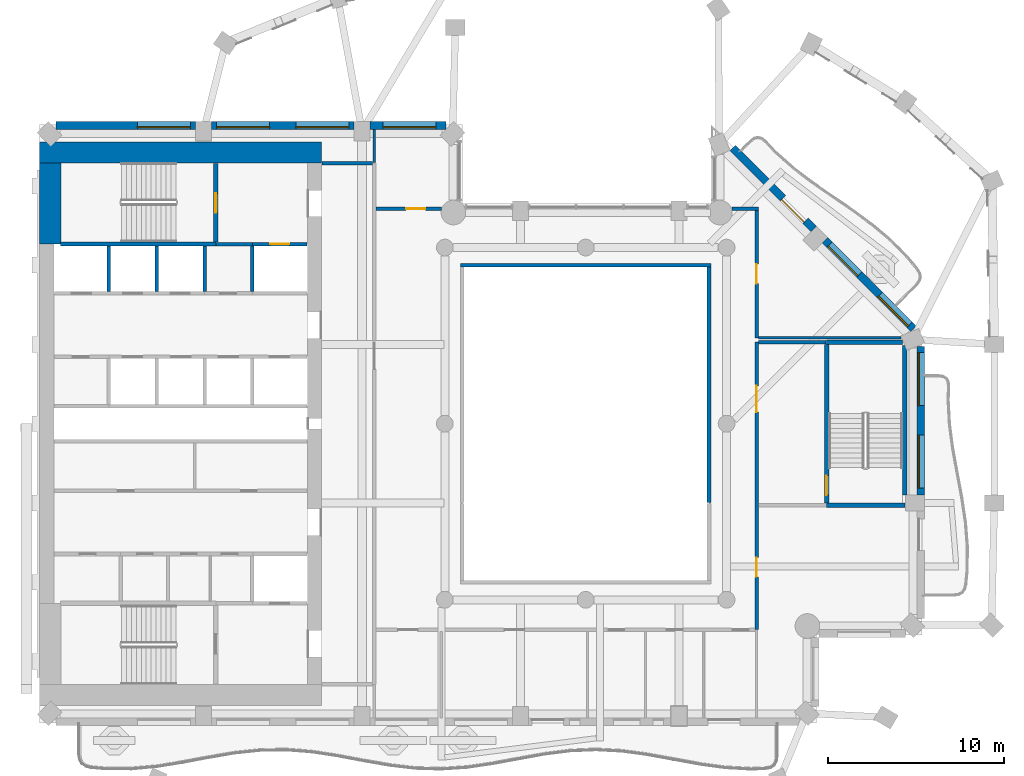
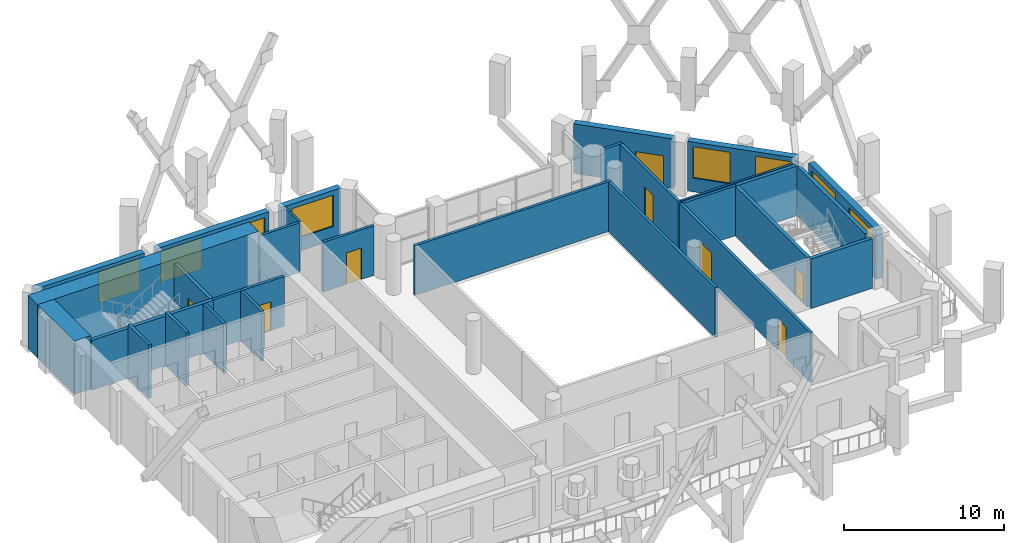
# One storey, part 6 of 17: 30 walls, 8 doors, 8 windows, 16 openings.
"""IFC4 building model written with IfcOpenShell, lengths in metres."""

from ifc_helpers import new_model, si_unit, direction, frame, frame_2d, origin, place, context, subcontext, project, spatial, rectangle, extrude, material, layer, layer_set, type_object, element, fill, save


model = new_model("IFC4")

# Units and contexts
model_context = context("Model", 3, precision=1e-05, world=origin(), true_north=direction((0.0, 1.0)))
body_context = subcontext(model_context, "Body", "Model", "MODEL_VIEW")
ifc_project = project(units=[si_unit("LENGTHUNIT", "METRE"), si_unit("AREAUNIT", "SQUARE_METRE"), si_unit("VOLUMEUNIT", "CUBIC_METRE"), si_unit("PLANEANGLEUNIT", "RADIAN"), si_unit("MASSUNIT", "GRAM", prefix="KILO")], contexts=[model_context])

# Site, building, storey
site_placement = place(None, origin())
site = spatial("IfcSite", under=ifc_project, at=site_placement, CompositionType="ELEMENT")
building_placement = place(site_placement, origin())
building = spatial("IfcBuilding", under=site, at=building_placement, Name="Cypress Arch Tower", CompositionType="ELEMENT")
storey_placement = place(building_placement, frame((0.0, 0.0, 217.89990234375)))
storey = spatial("IfcBuildingStorey", under=building, at=storey_placement, Name="L48", CompositionType="ELEMENT", Elevation=217.89990234375)

# Wall, openings, windows
ifc_material_1 = material(Name="Brick (red buff blend)", Category="masonry")
ifc_layer_1 = layer(ifc_material_1, 0.449951171875)
ifc_layer_set_1 = layer_set([ifc_layer_1], Name="Brick pier and spandrel wall BW450")
wall_type_1 = type_object("IfcWallType", Name="Brick pier and spandrel wall BW450", PredefinedType="SOLIDWALL", material=ifc_layer_set_1)
wall_1_placement = place(storey_placement, frame((20.02490234375, -4.050048828125, 0.0), z_axis=(0.0, 0.0, 1.0), x_axis=(0.0, 1.0, 0.0)))
wall_1 = element("IfcWall", 1, at=wall_1_placement, inside=storey, type_object=wall_type_1, Name="Brick wall L48 B04.1", PredefinedType="SOLIDWALL", context=body_context, shape_type="SweptSolid", body=[
    extrude(rectangle(XDim=8.438720703125, YDim=0.449951171875, at=frame_2d((4.21923828125, 0.0))), origin(), (0.0, 0.0, 1.0), 3.800048828125),
])
opening_1_placement = place(wall_1_placement, frame((0.39404296875, 0.0, 1.050048828125)))
opening_1 = element("IfcOpeningElement", 2, at=opening_1_placement, cuts=wall_1, Name="Opening W300OD", PredefinedType="OPENING", context=body_context, shape_type="SweptSolid", body=[
    extrude(rectangle(XDim=3.0, YDim=2.39990234375, at=frame_2d((1.5, 1.199951171875))), frame((0.0, 0.23486328125, 0.0), z_axis=(0.0, -1.0, 0.0), x_axis=(1.0, 0.0, 0.0)), (0.0, 0.0, 1.0), 0.469970703125),
])
opening_2_placement = place(wall_1_placement, frame((5.081787109375, 0.0, 1.050048828125)))
opening_2 = element("IfcOpeningElement", 3, at=opening_2_placement, cuts=wall_1, Name="Opening W300OD", PredefinedType="OPENING", context=body_context, shape_type="SweptSolid", body=[
    extrude(rectangle(XDim=3.0, YDim=2.39990234375, at=frame_2d((1.5, 1.199951171875))), frame((0.0, 0.23486328125, 0.0), z_axis=(0.0, -1.0, 0.0), x_axis=(1.0, 0.0, 0.0)), (0.0, 0.0, 1.0), 0.469970703125),
])
ifc_material_2 = material(Name="Anodised aluminium, bronze finish, laminated low-emissivity double glazing, large-missile impact rated", Category="aluminium")
window_type_1 = type_object("IfcWindowType", Name="Window Office 3000x2400 debris-rated", PartitioningType="SINGLE_PANEL", PredefinedType="WINDOW", material=ifc_material_2)
window_1_placement = place(opening_1_placement, origin())
window_1 = element("IfcWindow", 4, at=window_1_placement, inside=storey, type_object=window_type_1, Name="Window L48 B04.1.1", OverallHeight=2.39990234375, OverallWidth=3.0, PartitioningType="SINGLE_PANEL", PredefinedType="WINDOW", context=body_context, shape_type="SweptSolid", body=[
    extrude(rectangle(XDim=3.0, YDim=2.39990234375, at=frame_2d((1.5, 1.199951171875))), frame((0.0, 0.135009765625, 0.0), z_axis=(0.0, -1.0, 0.0), x_axis=(1.0, 0.0, 0.0)), (0.0, 0.0, 1.0), 0.06005859375),
])
fill(opening_1, window_1)
window_2_placement = place(opening_2_placement, origin())
window_2 = element("IfcWindow", 5, at=window_2_placement, inside=storey, type_object=window_type_1, Name="Window L48 B04.1.2", OverallHeight=2.39990234375, OverallWidth=3.0, PartitioningType="SINGLE_PANEL", PredefinedType="WINDOW", context=body_context, shape_type="SweptSolid", body=[
    extrude(rectangle(XDim=3.0, YDim=2.39990234375, at=frame_2d((1.5, 1.199951171875))), frame((0.0, 0.135009765625, 0.0), z_axis=(0.0, -1.0, 0.0), x_axis=(1.0, 0.0, 0.0)), (0.0, 0.0, 1.0), 0.06005859375),
])
fill(opening_2, window_2)

wall_2_placement = place(storey_placement, frame((19.61474609375, 5.379150390625, 0.0), z_axis=(0.0, 0.0, 1.0), x_axis=(-0.707089646058, 0.7071239159, 0.0)))
wall_2 = element("IfcWall", 6, at=wall_2_placement, inside=storey, type_object=wall_type_1, Name="Brick wall L48 B05.0", PredefinedType="SOLIDWALL", context=body_context, shape_type="SweptSolid", body=[
    extrude(rectangle(XDim=7.1240234375, YDim=0.449951171875, at=frame_2d((3.56201171875, 0.0))), origin(), (0.0, 0.0, 1.0), 3.800048828125),
])
opening_3_placement = place(wall_2_placement, frame((0.328125, 0.0, 1.050048828125)))
opening_3 = element("IfcOpeningElement", 7, at=opening_3_placement, cuts=wall_2, Name="Opening W240OD", PredefinedType="OPENING", context=body_context, shape_type="SweptSolid", body=[
    extrude(rectangle(XDim=2.39990234375, YDim=2.39990234375, at=frame_2d((1.199951171875, 1.199951171875))), frame((0.0, 0.23486328125, 0.0), z_axis=(0.0, -1.0, 0.0), x_axis=(1.0, 0.0, 0.0)), (0.0, 0.0, 1.0), 0.469970703125),
])
opening_4_placement = place(wall_2_placement, frame((4.358642578125, 0.0, 1.050048828125)))
opening_4 = element("IfcOpeningElement", 8, at=opening_4_placement, cuts=wall_2, Name="Opening W240OD", PredefinedType="OPENING", context=body_context, shape_type="SweptSolid", body=[
    extrude(rectangle(XDim=2.39990234375, YDim=2.39990234375, at=frame_2d((1.199951171875, 1.199951171875))), frame((0.0, 0.23486328125, 0.0), z_axis=(0.0, -1.0, 0.0), x_axis=(1.0, 0.0, 0.0)), (0.0, 0.0, 1.0), 0.469970703125),
])
ifc_material_3 = material(Name="Anodised aluminium, bronze finish, laminated low-emissivity double glazing, large-missile impact rated", Category="aluminium")
window_type_2 = type_object("IfcWindowType", Name="Window Office 2400x2400 debris-rated", PartitioningType="SINGLE_PANEL", PredefinedType="WINDOW", material=ifc_material_3)
window_3_placement = place(opening_3_placement, origin())
window_3 = element("IfcWindow", 9, at=window_3_placement, inside=storey, type_object=window_type_2, Name="Window L48 B05.0.1", OverallHeight=2.39990234375, OverallWidth=2.39990234375, PartitioningType="SINGLE_PANEL", PredefinedType="WINDOW", context=body_context, shape_type="SweptSolid", body=[
    extrude(rectangle(XDim=2.39990234375, YDim=2.39990234375, at=frame_2d((1.199951171875, 1.199951171875))), frame((0.0, 0.135009765625, 0.0), z_axis=(0.0, -1.0, 0.0), x_axis=(1.0, 0.0, 0.0)), (0.0, 0.0, 1.0), 0.06005859375),
])
fill(opening_3, window_3)
window_4_placement = place(opening_4_placement, origin())
window_4 = element("IfcWindow", 10, at=window_4_placement, inside=storey, type_object=window_type_2, Name="Window L48 B05.0.2", OverallHeight=2.39990234375, OverallWidth=2.39990234375, PartitioningType="SINGLE_PANEL", PredefinedType="WINDOW", context=body_context, shape_type="SweptSolid", body=[
    extrude(rectangle(XDim=2.39990234375, YDim=2.39990234375, at=frame_2d((1.199951171875, 1.199951171875))), frame((0.0, 0.135009765625, 0.0), z_axis=(0.0, -1.0, 0.0), x_axis=(1.0, 0.0, 0.0)), (0.0, 0.0, 1.0), 0.06005859375),
])
fill(opening_4, window_4)

# Wall, opening, door
wall_3_placement = place(storey_placement, frame((13.94091796875, 11.052978515625, 0.0), z_axis=(0.0, 0.0, 1.0), x_axis=(-0.707106781187, 0.707106781187, 0.0)))
wall_3 = element("IfcWall", 11, at=wall_3_placement, inside=storey, type_object=wall_type_1, Name="Brick wall L48 B05.1", PredefinedType="SOLIDWALL", context=body_context, shape_type="SweptSolid", body=[
    extrude(rectangle(XDim=6.505126953125, YDim=0.449951171875, at=frame_2d((3.25244140625, 0.0))), origin(), (0.0, 0.0, 1.0), 3.800048828125),
])
opening_5_placement = place(wall_3_placement, frame((0.665283203125, 0.0, 0.0)))
opening_5 = element("IfcOpeningElement", 12, at=opening_5_placement, cuts=wall_3, Name="Opening D-L48-B05.1.1", PredefinedType="OPENING", context=body_context, shape_type="SweptSolid", body=[
    extrude(rectangle(XDim=1.800048828125, YDim=2.39990234375, at=frame_2d((0.89990234375, 1.199951171875))), frame((0.0, 0.23486328125, 0.0), z_axis=(0.0, -1.0, 0.0), x_axis=(1.0, 0.0, 0.0)), (0.0, 0.0, 1.0), 0.469970703125),
])
ifc_material_4 = material(Name="Anodised aluminium, bronze finish, laminated low-emissivity double glazing, large-missile impact rated", Category="aluminium")
door_type_1 = type_object("IfcDoorType", Name="Balcony sliding door 1800x2400", OperationType="SLIDING_TO_LEFT", PredefinedType="DOOR", material=ifc_material_4)
door_1_placement = place(opening_5_placement, origin())
door_1 = element("IfcDoor", 13, at=door_1_placement, inside=storey, type_object=door_type_1, Name="Balcony door L48 B05.1.1", OperationType="SLIDING_TO_LEFT", OverallHeight=2.39990234375, OverallWidth=1.800048828125, PredefinedType="DOOR", context=body_context, shape_type="SweptSolid", body=[
    extrude(rectangle(XDim=1.800048828125, YDim=2.39990234375, at=frame_2d((0.89990234375, 1.199951171875))), frame((0.0, 0.1298828125, 0.0), z_axis=(0.0, -1.0, 0.0), x_axis=(1.0, 0.0, 0.0)), (0.0, 0.0, 1.0), 0.050048828125),
])
fill(opening_5, door_1)

# Wall, opening, window
wall_4_placement = place(storey_placement, frame((-6.936279296875, 16.925048828125, 0.0), z_axis=(0.0, 0.0, 1.0), x_axis=(-1.0, 0.0, 0.0)))
wall_4 = element("IfcWall", 14, at=wall_4_placement, inside=storey, type_object=wall_type_1, Name="Brick wall L48 B09.0", PredefinedType="SOLIDWALL", context=body_context, shape_type="SweptSolid", body=[
    extrude(rectangle(XDim=4.313720703125, YDim=0.449951171875, at=frame_2d((2.15673828125, 0.0))), origin(), (0.0, 0.0, 1.0), 3.800048828125),
])
opening_6_placement = place(wall_4_placement, frame((0.563720703125, 0.0, 1.050048828125)))
opening_6 = element("IfcOpeningElement", 15, at=opening_6_placement, cuts=wall_4, Name="Opening W300O", PredefinedType="OPENING", context=body_context, shape_type="SweptSolid", body=[
    extrude(rectangle(XDim=3.0, YDim=2.39990234375, at=frame_2d((1.5, 1.199951171875))), frame((0.0, 0.23486328125, 0.0), z_axis=(0.0, -1.0, 0.0), x_axis=(1.0, 0.0, 0.0)), (0.0, 0.0, 1.0), 0.469970703125),
])
ifc_material_5 = material(Name="Anodised aluminium, bronze finish, clear low-emissivity double glazing", Category="aluminium")
window_type_3 = type_object("IfcWindowType", Name="Window Office 3000x2400", PartitioningType="SINGLE_PANEL", PredefinedType="WINDOW", material=ifc_material_5)
window_5_placement = place(opening_6_placement, origin())
window_5 = element("IfcWindow", 16, at=window_5_placement, inside=storey, type_object=window_type_3, Name="Window L48 B09.0.1", OverallHeight=2.39990234375, OverallWidth=3.0, PartitioningType="SINGLE_PANEL", PredefinedType="WINDOW", context=body_context, shape_type="SweptSolid", body=[
    extrude(rectangle(XDim=3.0, YDim=2.39990234375, at=frame_2d((1.5, 1.199951171875))), frame((0.0, 0.135009765625, 0.0), z_axis=(0.0, -1.0, 0.0), x_axis=(1.0, 0.0, 0.0)), (0.0, 0.0, 1.0), 0.06005859375),
])
fill(opening_6, window_5)

# Wall, openings, windows
wall_5_placement = place(storey_placement, frame((-12.14990234375, 16.925048828125, 0.0), z_axis=(0.0, 0.0, 1.0), x_axis=(-1.0, 0.0, 0.0)))
wall_5 = element("IfcWall", 17, at=wall_5_placement, inside=storey, type_object=wall_type_1, Name="Brick wall L48 B09.1", PredefinedType="SOLIDWALL", context=body_context, shape_type="SweptSolid", body=[
    extrude(rectangle(XDim=8.10009765625, YDim=0.449951171875, at=frame_2d((4.050048828125, 0.0))), origin(), (0.0, 0.0, 1.0), 3.800048828125),
])
opening_7_placement = place(wall_5_placement, frame((0.300048828125, 0.0, 1.050048828125)))
opening_7 = element("IfcOpeningElement", 18, at=opening_7_placement, cuts=wall_5, Name="Opening W300O", PredefinedType="OPENING", context=body_context, shape_type="SweptSolid", body=[
    extrude(rectangle(XDim=3.0, YDim=2.39990234375, at=frame_2d((1.5, 1.199951171875))), frame((0.0, 0.23486328125, 0.0), z_axis=(0.0, -1.0, 0.0), x_axis=(1.0, 0.0, 0.0)), (0.0, 0.0, 1.0), 0.469970703125),
])
opening_8_placement = place(wall_5_placement, frame((4.800048828125, 0.0, 1.050048828125)))
opening_8 = element("IfcOpeningElement", 19, at=opening_8_placement, cuts=wall_5, Name="Opening W300O", PredefinedType="OPENING", context=body_context, shape_type="SweptSolid", body=[
    extrude(rectangle(XDim=3.0, YDim=2.39990234375, at=frame_2d((1.5, 1.199951171875))), frame((0.0, 0.23486328125, 0.0), z_axis=(0.0, -1.0, 0.0), x_axis=(1.0, 0.0, 0.0)), (0.0, 0.0, 1.0), 0.469970703125),
])
window_6_placement = place(opening_7_placement, origin())
window_6 = element("IfcWindow", 20, at=window_6_placement, inside=storey, type_object=window_type_3, Name="Window L48 B09.1.1", OverallHeight=2.39990234375, OverallWidth=3.0, PartitioningType="SINGLE_PANEL", PredefinedType="WINDOW", context=body_context, shape_type="SweptSolid", body=[
    extrude(rectangle(XDim=3.0, YDim=2.39990234375, at=frame_2d((1.5, 1.199951171875))), frame((0.0, 0.135009765625, 0.0), z_axis=(0.0, -1.0, 0.0), x_axis=(1.0, 0.0, 0.0)), (0.0, 0.0, 1.0), 0.06005859375),
])
fill(opening_7, window_6)
window_7_placement = place(opening_8_placement, origin())
window_7 = element("IfcWindow", 21, at=window_7_placement, inside=storey, type_object=window_type_3, Name="Window L48 B09.1.2", OverallHeight=2.39990234375, OverallWidth=3.0, PartitioningType="SINGLE_PANEL", PredefinedType="WINDOW", context=body_context, shape_type="SweptSolid", body=[
    extrude(rectangle(XDim=3.0, YDim=2.39990234375, at=frame_2d((1.5, 1.199951171875))), frame((0.0, 0.135009765625, 0.0), z_axis=(0.0, -1.0, 0.0), x_axis=(1.0, 0.0, 0.0)), (0.0, 0.0, 1.0), 0.06005859375),
])
fill(opening_8, window_7)

# Wall, opening, window
wall_6_placement = place(storey_placement, frame((-21.14990234375, 16.925048828125, 0.0), z_axis=(0.0, 0.0, 1.0), x_axis=(-1.0, 0.0, 0.0)))
wall_6 = element("IfcWall", 22, at=wall_6_placement, inside=storey, type_object=wall_type_1, Name="Brick wall L48 B09.2", PredefinedType="SOLIDWALL", context=body_context, shape_type="SweptSolid", body=[
    extrude(rectangle(XDim=7.913818359375, YDim=0.449951171875, at=frame_2d((3.95703125, 0.0))), origin(), (0.0, 0.0, 1.0), 3.800048828125),
])
opening_9_placement = place(wall_6_placement, frame((0.300048828125, 0.0, 1.050048828125)))
opening_9 = element("IfcOpeningElement", 23, at=opening_9_placement, cuts=wall_6, Name="Opening W300O", PredefinedType="OPENING", context=body_context, shape_type="SweptSolid", body=[
    extrude(rectangle(XDim=3.0, YDim=2.39990234375, at=frame_2d((1.5, 1.199951171875))), frame((0.0, 0.23486328125, 0.0), z_axis=(0.0, -1.0, 0.0), x_axis=(1.0, 0.0, 0.0)), (0.0, 0.0, 1.0), 0.469970703125),
])
window_8_placement = place(opening_9_placement, origin())
window_8 = element("IfcWindow", 24, at=window_8_placement, inside=storey, type_object=window_type_3, Name="Window L48 B09.2.1", OverallHeight=2.39990234375, OverallWidth=3.0, PartitioningType="SINGLE_PANEL", PredefinedType="WINDOW", context=body_context, shape_type="SweptSolid", body=[
    extrude(rectangle(XDim=3.0, YDim=2.39990234375, at=frame_2d((1.5, 1.199951171875))), frame((0.0, 0.135009765625, 0.0), z_axis=(0.0, -1.0, 0.0), x_axis=(1.0, 0.0, 0.0)), (0.0, 0.0, 1.0), 0.06005859375),
])
fill(opening_9, window_8)

# Walls
ifc_material_6 = material(Name="Concrete C70/85", Category="concrete")
ifc_layer_2 = layer(ifc_material_6, 1.199951171875)
ifc_layer_set_2 = layer_set([ifc_layer_2], Name="Core wall CW1200 C70/85")
wall_type_2 = type_object("IfcWallType", Name="Core wall CW1200 C70/85", PredefinedType="SHEAR", material=ifc_layer_set_2)
wall_7_placement = place(storey_placement, frame((-30.0, 15.39990234375, 0.0), z_axis=(0.0, 0.0, 1.0), x_axis=(1.0, 0.0, 0.0)))
element("IfcWall", 25, at=wall_7_placement, inside=storey, type_object=wall_type_2, Name="Core wall", PredefinedType="SHEAR", context=body_context, shape_type="SweptSolid", body=[
    extrude(rectangle(XDim=16.0, YDim=1.199951171875, at=frame_2d((8.0, 0.0))), origin(), (0.0, 0.0, 1.0), 4.10009765625),
])
wall_8_placement = place(storey_placement, frame((-29.39990234375, 10.199951171875, 0.0), z_axis=(0.0, 0.0, 1.0), x_axis=(0.0, 1.0, 0.0)))
element("IfcWall", 26, at=wall_8_placement, inside=storey, type_object=wall_type_2, Name="Core wall", PredefinedType="SHEAR", context=body_context, shape_type="SweptSolid", body=[
    extrude(rectangle(XDim=4.60009765625, YDim=1.199951171875, at=frame_2d((2.300048828125, 0.0))), origin(), (0.0, 0.0, 1.0), 4.10009765625),
])
ifc_material_7 = material(Name="Concrete blockwork, plastered, rated", Category="masonry")
ifc_layer_3 = layer(ifc_material_7, 0.199951171875)
ifc_layer_set_3 = layer_set([ifc_layer_3], Name="Corridor wall FW200")
wall_type_3 = type_object("IfcWallType", Name="Corridor wall FW200", PredefinedType="PARTITIONING", material=ifc_layer_set_3)
wall_9_placement = place(storey_placement, frame((-20.0, 10.199951171875, 0.0), z_axis=(0.0, 0.0, 1.0), x_axis=(1.0, 0.0, 0.0)))
element("IfcWall", 27, at=wall_9_placement, inside=storey, type_object=wall_type_3, Name="Corridor wall", PredefinedType="PARTITIONING", context=body_context, shape_type="SweptSolid", body=[
    extrude(rectangle(XDim=2.080078125, YDim=0.199951171875, at=frame_2d((1.0400390625, 0.0))), origin(), (0.0, 0.0, 1.0), 3.800048828125),
])
wall_10_placement = place(storey_placement, frame((-13.969970703125, 14.800048828125, 0.0), z_axis=(0.0, 0.0, 1.0), x_axis=(1.0, 0.0, 0.0)))
element("IfcWall", 28, at=wall_10_placement, inside=storey, type_object=wall_type_3, Name="Corridor wall", PredefinedType="PARTITIONING", context=body_context, shape_type="SweptSolid", body=[
    extrude(rectangle(XDim=2.869873046875, YDim=0.199951171875, at=frame_2d((1.43505859375, 0.0))), origin(), (0.0, 0.0, 1.0), 3.800048828125),
])

# Wall, opening, door
wall_11_placement = place(storey_placement, frame((-10.89990234375, 12.199951171875, 0.0), z_axis=(0.0, 0.0, 1.0), x_axis=(1.0, 0.0, 0.0)))
wall_11 = element("IfcWall", 29, at=wall_11_placement, inside=storey, type_object=wall_type_3, Name="Corridor wall", PredefinedType="PARTITIONING", context=body_context, shape_type="SweptSolid", body=[
    extrude(rectangle(XDim=3.7041015625, YDim=0.199951171875, at=frame_2d((1.85205078125, 0.0))), origin(), (0.0, 0.0, 1.0), 3.800048828125),
])
opening_10_placement = place(wall_11_placement, frame((1.699951171875, 0.0, 0.0)))
opening_10 = element("IfcOpeningElement", 30, at=opening_10_placement, cuts=wall_11, Name="Opening D01", PredefinedType="OPENING", context=body_context, shape_type="SweptSolid", body=[
    extrude(rectangle(XDim=1.10009765625, YDim=2.39990234375, at=frame_2d((0.550048828125, 1.199951171875))), frame((0.0, 0.10986328125, 0.0), z_axis=(0.0, -1.0, 0.0), x_axis=(1.0, 0.0, 0.0)), (0.0, 0.0, 1.0), 0.219970703125),
])
ifc_material_8 = material(Name="Timber flush door, fire resisting, self-closing", Category="wood")
door_type_2 = type_object("IfcDoorType", Name="Unit entrance door D01 1100x2400", OperationType="SINGLE_SWING_LEFT", PredefinedType="DOOR", material=ifc_material_8)
door_2_placement = place(opening_10_placement, origin())
door_2 = element("IfcDoor", 31, at=door_2_placement, inside=storey, type_object=door_type_2, Name="Unit entrance door", OperationType="SINGLE_SWING_RIGHT", OverallHeight=2.39990234375, OverallWidth=1.10009765625, PredefinedType="DOOR", context=body_context, shape_type="SweptSolid", body=[
    extrude(rectangle(XDim=1.10009765625, YDim=2.39990234375, at=frame_2d((0.550048828125, 1.199951171875))), frame((0.0, 0.02490234375, 0.0), z_axis=(0.0, -1.0, 0.0), x_axis=(1.0, 0.0, 0.0)), (0.0, 0.0, 1.0), 0.050048828125),
])
fill(opening_10, door_2)

# Walls
wall_12_placement = place(storey_placement, frame((-6.10009765625, 9.0, 0.0), z_axis=(0.0, 0.0, 1.0), x_axis=(1.0, 0.0, 0.0)))
element("IfcWall", 32, at=wall_12_placement, inside=storey, type_object=wall_type_3, Name="Corridor wall", PredefinedType="PARTITIONING", context=body_context, shape_type="SweptSolid", body=[
    extrude(rectangle(XDim=14.2001953125, YDim=0.199951171875, at=frame_2d((7.10009765625, 0.0))), origin(), (0.0, 0.0, 1.0), 3.800048828125),
])
wall_13_placement = place(storey_placement, frame((8.0, -4.47998046875, 0.0), z_axis=(0.0, 0.0, 1.0), x_axis=(0.0, 1.0, 0.0)))
element("IfcWall", 33, at=wall_13_placement, inside=storey, type_object=wall_type_3, Name="Corridor wall", PredefinedType="PARTITIONING", context=body_context, shape_type="SweptSolid", body=[
    extrude(rectangle(XDim=13.3798828125, YDim=0.199951171875, at=frame_2d((6.68994140625, 0.0))), origin(), (0.0, 0.0, 1.0), 3.800048828125),
])
wall_14_placement = place(storey_placement, frame((9.295654296875, 12.199951171875, 0.0), z_axis=(0.0, 0.0, 1.0), x_axis=(1.0, 0.0, 0.0)))
element("IfcWall", 34, at=wall_14_placement, inside=storey, type_object=wall_type_3, Name="Corridor wall", PredefinedType="PARTITIONING", context=body_context, shape_type="SweptSolid", body=[
    extrude(rectangle(XDim=1.50439453125, YDim=0.199951171875, at=frame_2d((0.752197265625, 0.0))), origin(), (0.0, 0.0, 1.0), 3.800048828125),
])

# Wall, openings, doors
wall_15_placement = place(storey_placement, frame((10.699951171875, -11.699951171875, 0.0), z_axis=(0.0, 0.0, 1.0), x_axis=(0.0, 1.0, 0.0)))
wall_15 = element("IfcWall", 35, at=wall_15_placement, inside=storey, type_object=wall_type_3, Name="Corridor wall", PredefinedType="PARTITIONING", context=body_context, shape_type="SweptSolid", body=[
    extrude(rectangle(XDim=16.344970703125, YDim=0.199951171875, at=frame_2d((8.17236328125, 0.0))), origin(), (0.0, 0.0, 1.0), 3.800048828125),
])
opening_11_placement = place(wall_15_placement, frame((12.35009765625, 0.0, 0.0)))
opening_11 = element("IfcOpeningElement", 36, at=opening_11_placement, cuts=wall_15, Name="Opening D07", PredefinedType="OPENING", context=body_context, shape_type="SweptSolid", body=[
    extrude(rectangle(XDim=1.5, YDim=2.39990234375, at=frame_2d((0.75, 1.199951171875))), frame((0.0, 0.10986328125, 0.0), z_axis=(0.0, -1.0, 0.0), x_axis=(1.0, 0.0, 0.0)), (0.0, 0.0, 1.0), 0.219970703125),
])
opening_12_placement = place(wall_15_placement, frame((3.0, 0.0, 0.0)))
opening_12 = element("IfcOpeningElement", 37, at=opening_12_placement, cuts=wall_15, Name="Opening D01", PredefinedType="OPENING", context=body_context, shape_type="SweptSolid", body=[
    extrude(rectangle(XDim=1.10009765625, YDim=2.39990234375, at=frame_2d((0.550048828125, 1.199951171875))), frame((0.0, 0.10986328125, 0.0), z_axis=(0.0, -1.0, 0.0), x_axis=(1.0, 0.0, 0.0)), (0.0, 0.0, 1.0), 0.219970703125),
])
ifc_material_9 = material(Name="Steel framed glazed door, fire resisting", Category="steel")
door_type_3 = type_object("IfcDoorType", Name="Lobby door D07 1500x2400", OperationType="DOUBLE_DOOR_SINGLE_SWING", PredefinedType="DOOR", material=ifc_material_9)
door_3_placement = place(opening_11_placement, origin())
door_3 = element("IfcDoor", 38, at=door_3_placement, inside=storey, type_object=door_type_3, Name="Lobby door", OperationType="DOUBLE_DOOR_SINGLE_SWING", OverallHeight=2.39990234375, OverallWidth=1.5, PredefinedType="DOOR", context=body_context, shape_type="SweptSolid", body=[
    extrude(rectangle(XDim=1.5, YDim=2.39990234375, at=frame_2d((0.75, 1.199951171875))), frame((0.0, 0.02490234375, 0.0), z_axis=(0.0, -1.0, 0.0), x_axis=(1.0, 0.0, 0.0)), (0.0, 0.0, 1.0), 0.050048828125),
])
fill(opening_11, door_3)
door_4_placement = place(opening_12_placement, origin())
door_4 = element("IfcDoor", 39, at=door_4_placement, inside=storey, type_object=door_type_2, Name="Unit entrance door", OperationType="SINGLE_SWING_LEFT", OverallHeight=2.39990234375, OverallWidth=1.10009765625, PredefinedType="DOOR", context=body_context, shape_type="SweptSolid", body=[
    extrude(rectangle(XDim=1.10009765625, YDim=2.39990234375, at=frame_2d((0.550048828125, 1.199951171875))), frame((0.0, 0.02490234375, 0.0), z_axis=(0.0, -1.0, 0.0), x_axis=(1.0, 0.0, 0.0)), (0.0, 0.0, 1.0), 0.050048828125),
])
fill(opening_12, door_4)

# Wall, opening, door
wall_16_placement = place(storey_placement, frame((10.699951171875, 4.85595703125, 0.0), z_axis=(0.0, 0.0, 1.0), x_axis=(0.0, 1.0, 0.0)))
wall_16 = element("IfcWall", 40, at=wall_16_placement, inside=storey, type_object=wall_type_3, Name="Corridor wall", PredefinedType="PARTITIONING", context=body_context, shape_type="SweptSolid", body=[
    extrude(rectangle(XDim=7.244140625, YDim=0.199951171875, at=frame_2d((3.6220703125, 0.0))), origin(), (0.0, 0.0, 1.0), 3.800048828125),
])
opening_13_placement = place(wall_16_placement, frame((3.10009765625, 0.0, 0.0)))
opening_13 = element("IfcOpeningElement", 41, at=opening_13_placement, cuts=wall_16, Name="Opening D01", PredefinedType="OPENING", context=body_context, shape_type="SweptSolid", body=[
    extrude(rectangle(XDim=1.10009765625, YDim=2.39990234375, at=frame_2d((0.550048828125, 1.199951171875))), frame((0.0, 0.10986328125, 0.0), z_axis=(0.0, -1.0, 0.0), x_axis=(1.0, 0.0, 0.0)), (0.0, 0.0, 1.0), 0.219970703125),
])
door_5_placement = place(opening_13_placement, origin())
door_5 = element("IfcDoor", 42, at=door_5_placement, inside=storey, type_object=door_type_2, Name="Unit entrance door", OperationType="SINGLE_SWING_LEFT", OverallHeight=2.39990234375, OverallWidth=1.10009765625, PredefinedType="DOOR", context=body_context, shape_type="SweptSolid", body=[
    extrude(rectangle(XDim=1.10009765625, YDim=2.39990234375, at=frame_2d((0.550048828125, 1.199951171875))), frame((0.0, 0.02490234375, 0.0), z_axis=(0.0, -1.0, 0.0), x_axis=(1.0, 0.0, 0.0)), (0.0, 0.0, 1.0), 0.050048828125),
])
fill(opening_13, door_5)

# Walls
wall_17_placement = place(storey_placement, frame((10.820068359375, 4.625, 0.0), z_axis=(0.0, 0.0, 1.0), x_axis=(1.0, 0.0, 0.0)))
element("IfcWall", 43, at=wall_17_placement, inside=storey, type_object=wall_type_3, Name="Corridor wall", PredefinedType="PARTITIONING", context=body_context, shape_type="SweptSolid", body=[
    extrude(rectangle(XDim=3.8349609375, YDim=0.199951171875, at=frame_2d((1.91748046875, 0.0))), origin(), (0.0, 0.0, 1.0), 3.800048828125),
])
ifc_material_10 = material(Name="Blockwork, plastered both sides", Category="masonry")
ifc_layer_4 = layer(ifc_material_10, 0.14990234375)
ifc_layer_set_4 = layer_set([ifc_layer_4], Name="Partition PW150")
wall_type_4 = type_object("IfcWallType", Name="Partition PW150", PredefinedType="PARTITIONING", material=ifc_layer_set_4)
wall_18_placement = place(storey_placement, frame((-11.0, 14.820068359375, 0.0), z_axis=(0.0, 0.0, 1.0), x_axis=(0.0, 1.0, 0.0)))
element("IfcWall", 44, at=wall_18_placement, inside=storey, type_object=wall_type_4, Name="Partition", PredefinedType="PARTITIONING", context=body_context, shape_type="SweptSolid", body=[
    extrude(rectangle(XDim=1.8798828125, YDim=0.14990234375, at=frame_2d((0.93994140625, 0.0))), origin(), (0.0, 0.0, 1.0), 3.800048828125),
])
wall_19_placement = place(storey_placement, frame((10.820068359375, 4.8759765625, 0.0), z_axis=(0.0, 0.0, 1.0), x_axis=(1.0, 0.0, 0.0)))
element("IfcWall", 45, at=wall_19_placement, inside=storey, type_object=wall_type_4, Name="Partition", PredefinedType="PARTITIONING", context=body_context, shape_type="SweptSolid", body=[
    extrude(rectangle(XDim=8.0947265625, YDim=0.14990234375, at=frame_2d((4.04736328125, 0.0))), origin(), (0.0, 0.0, 1.0), 3.800048828125),
])
ifc_material_11 = material(Name="Concrete C50/60", Category="concrete")
ifc_layer_5 = layer(ifc_material_11, 0.199951171875)
ifc_layer_set_5 = layer_set([ifc_layer_5], Name="Shaft wall SH200")
wall_type_5 = type_object("IfcWallType", Name="Shaft wall SH200", PredefinedType="SHEAR", material=ifc_layer_set_5)
for number, where, z_axis, x_axis, name in (
    (46, (-26.080078125, 7.5, 0.0), (0.0, 0.0, 1.0), (0.0, 1.0, 0.0), "Shaft wall"),
    (47, (-23.360107421875, 7.5, 0.0), (0.0, 0.0, 1.0), (0.0, 1.0, 0.0), "Shaft wall"),
):
    element("IfcWall", number, at=place(storey_placement, frame(where, z_axis=z_axis, x_axis=x_axis)), inside=storey, type_object=wall_type_5, Name=name, PredefinedType="SHEAR", context=body_context, shape_type="SweptSolid", body=[
        extrude(rectangle(XDim=2.574951171875, YDim=0.199951171875, at=frame_2d((1.28759765625, 0.0))), origin(), (0.0, 0.0, 1.0), 4.10009765625),
    ])
wall_20_placement = place(storey_placement, frame((-20.639892578125, 7.5, 0.0), z_axis=(0.0, 0.0, 1.0), x_axis=(0.0, 1.0, 0.0)))
element("IfcWall", 48, at=wall_20_placement, inside=storey, type_object=wall_type_5, Name="Shaft wall", PredefinedType="SHEAR", context=body_context, shape_type="SweptSolid", body=[
    extrude(rectangle(XDim=2.574951171875, YDim=0.199951171875, at=frame_2d((1.28759765625, 0.0))), origin(), (0.0, 0.0, 1.0), 3.800048828125),
])
wall_21_placement = place(storey_placement, frame((-17.919921875, 7.5, 0.0), z_axis=(0.0, 0.0, 1.0), x_axis=(0.0, 1.0, 0.0)))
element("IfcWall", 49, at=wall_21_placement, inside=storey, type_object=wall_type_5, Name="Shaft wall", PredefinedType="SHEAR", context=body_context, shape_type="SweptSolid", body=[
    extrude(rectangle(XDim=2.60009765625, YDim=0.199951171875, at=frame_2d((1.300048828125, 0.0))), origin(), (0.0, 0.0, 1.0), 3.800048828125),
])

# Wall, opening, door
wall_22_placement = place(storey_placement, frame((-17.919921875, 10.199951171875, 0.0), z_axis=(0.0, 0.0, 1.0), x_axis=(1.0, 0.0, 0.0)))
wall_22 = element("IfcWall", 50, at=wall_22_placement, inside=storey, type_object=wall_type_5, Name="Shaft wall", PredefinedType="SHEAR", context=body_context, shape_type="SweptSolid", body=[
    extrude(rectangle(XDim=3.08984375, YDim=0.199951171875, at=frame_2d((1.544921875, 0.0))), origin(), (0.0, 0.0, 1.0), 3.800048828125),
])
opening_14_placement = place(wall_22_placement, frame((1.0, 0.0, 0.0)))
opening_14 = element("IfcOpeningElement", 51, at=opening_14_placement, cuts=wall_22, Name="Opening LD-FL2", PredefinedType="OPENING", context=body_context, shape_type="SweptSolid", body=[
    extrude(rectangle(XDim=1.10009765625, YDim=2.199951171875, at=frame_2d((0.550048828125, 1.10009765625))), frame((0.0, 0.10986328125, 0.0), z_axis=(0.0, -1.0, 0.0), x_axis=(1.0, 0.0, 0.0)), (0.0, 0.0, 1.0), 0.219970703125),
])
ifc_material_12 = material(Name="Stainless steel centre-opening landing door, rated", Category="steel")
door_type_4 = type_object("IfcDoorType", Name="Lift landing door LD 1100x2200", OperationType="DOUBLE_DOOR_SLIDING", PredefinedType="DOOR", material=ifc_material_12)
door_6_placement = place(opening_14_placement, origin())
door_6 = element("IfcDoor", 52, at=door_6_placement, inside=storey, type_object=door_type_4, Name="Lift landing doors FL2", OperationType="DOUBLE_DOOR_SLIDING", OverallHeight=2.199951171875, OverallWidth=1.10009765625, PredefinedType="DOOR", context=body_context, shape_type="SweptSolid", body=[
    extrude(rectangle(XDim=1.10009765625, YDim=2.199951171875, at=frame_2d((0.550048828125, 1.10009765625))), frame((0.0, 0.02490234375, 0.0), z_axis=(0.0, -1.0, 0.0), x_axis=(1.0, 0.0, 0.0)), (0.0, 0.0, 1.0), 0.050048828125),
])
fill(opening_14, door_6)

# Wall
ifc_material_13 = material(Name="Concrete C50/60", Category="concrete")
ifc_layer_6 = layer(ifc_material_13, 0.25)
ifc_layer_set_6 = layer_set([ifc_layer_6], Name="Stair enclosure wall SW250")
wall_type_6 = type_object("IfcWallType", Name="Stair enclosure wall SW250", PredefinedType="SHEAR", material=ifc_layer_set_6)
wall_23_placement = place(storey_placement, frame((-28.81005859375, 10.199951171875, 0.0), z_axis=(0.0, 0.0, 1.0), x_axis=(1.0, 0.0, 0.0)))
element("IfcWall", 53, at=wall_23_placement, inside=storey, type_object=wall_type_6, Name="Stair enclosure wall", PredefinedType="SHEAR", context=body_context, shape_type="SweptSolid", body=[
    extrude(rectangle(XDim=8.81005859375, YDim=0.25, at=frame_2d((4.405029296875, 0.0))), origin(), (0.0, 0.0, 1.0), 3.800048828125),
])

# Wall, opening, door
wall_24_placement = place(storey_placement, frame((-20.0, 10.324951171875, 0.0), z_axis=(0.0, 0.0, 1.0), x_axis=(0.0, 1.0, 0.0)))
wall_24 = element("IfcWall", 54, at=wall_24_placement, inside=storey, type_object=wall_type_6, Name="Stair enclosure wall", PredefinedType="SHEAR", context=body_context, shape_type="SweptSolid", body=[
    extrude(rectangle(XDim=4.445068359375, YDim=0.25, at=frame_2d((2.22265625, 0.0))), origin(), (0.0, 0.0, 1.0), 3.800048828125),
])
opening_15_placement = place(wall_24_placement, frame((1.64990234375, 0.0, 0.0)))
opening_15 = element("IfcOpeningElement", 55, at=opening_15_placement, cuts=wall_24, Name="Opening D06", PredefinedType="OPENING", context=body_context, shape_type="SweptSolid", body=[
    extrude(rectangle(XDim=1.10009765625, YDim=2.199951171875, at=frame_2d((0.550048828125, 1.10009765625))), frame((0.0, 0.135009765625, 0.0), z_axis=(0.0, -1.0, 0.0), x_axis=(1.0, 0.0, 0.0)), (0.0, 0.0, 1.0), 0.27001953125),
])
ifc_material_14 = material(Name="Steel door, fire resisting, panic bar", Category="steel")
door_type_5 = type_object("IfcDoorType", Name="Stair door D06 1100x2200", OperationType="SINGLE_SWING_LEFT", PredefinedType="DOOR", material=ifc_material_14)
door_7_placement = place(opening_15_placement, origin())
door_7 = element("IfcDoor", 56, at=door_7_placement, inside=storey, type_object=door_type_5, Name="Stair door", OperationType="SINGLE_SWING_LEFT", OverallHeight=2.199951171875, OverallWidth=1.10009765625, PredefinedType="DOOR", context=body_context, shape_type="SweptSolid", body=[
    extrude(rectangle(XDim=1.10009765625, YDim=2.199951171875, at=frame_2d((0.550048828125, 1.10009765625))), frame((0.0, 0.02490234375, 0.0), z_axis=(0.0, -1.0, 0.0), x_axis=(1.0, 0.0, 0.0)), (0.0, 0.0, 1.0), 0.050048828125),
])
fill(opening_15, door_7)

wall_25_placement = place(storey_placement, frame((14.675048828125, -4.5, 0.0), z_axis=(0.0, 0.0, 1.0), x_axis=(0.0, 1.0, 0.0)))
wall_25 = element("IfcWall", 57, at=wall_25_placement, inside=storey, type_object=wall_type_6, Name="Stair enclosure wall", PredefinedType="SHEAR", context=body_context, shape_type="SweptSolid", body=[
    extrude(rectangle(XDim=9.0, YDim=0.25, at=frame_2d((4.5, 0.0))), origin(), (0.0, 0.0, 1.0), 3.800048828125),
])
opening_16_placement = place(wall_25_placement, frame((0.449951171875, 0.0, 0.0)))
opening_16 = element("IfcOpeningElement", 58, at=opening_16_placement, cuts=wall_25, Name="Opening D06", PredefinedType="OPENING", context=body_context, shape_type="SweptSolid", body=[
    extrude(rectangle(XDim=1.10009765625, YDim=2.199951171875, at=frame_2d((0.550048828125, 1.10009765625))), frame((0.0, 0.135009765625, 0.0), z_axis=(0.0, -1.0, 0.0), x_axis=(1.0, 0.0, 0.0)), (0.0, 0.0, 1.0), 0.27001953125),
])
door_8_placement = place(opening_16_placement, origin())
door_8 = element("IfcDoor", 59, at=door_8_placement, inside=storey, type_object=door_type_5, Name="Stair door", OperationType="SINGLE_SWING_RIGHT", OverallHeight=2.199951171875, OverallWidth=1.10009765625, PredefinedType="DOOR", context=body_context, shape_type="SweptSolid", body=[
    extrude(rectangle(XDim=1.10009765625, YDim=2.199951171875, at=frame_2d((0.550048828125, 1.10009765625))), frame((0.0, 0.02490234375, 0.0), z_axis=(0.0, -1.0, 0.0), x_axis=(1.0, 0.0, 0.0)), (0.0, 0.0, 1.0), 0.050048828125),
])
fill(opening_16, door_8)

# Walls
wall_26_placement = place(storey_placement, frame((14.675048828125, -4.625, 0.0), z_axis=(0.0, 0.0, 1.0), x_axis=(1.0, 0.0, 0.0)))
element("IfcWall", 60, at=wall_26_placement, inside=storey, type_object=wall_type_6, Name="Stair enclosure wall", PredefinedType="SHEAR", context=body_context, shape_type="SweptSolid", body=[
    extrude(rectangle(XDim=4.449951171875, YDim=0.25, at=frame_2d((2.22509765625, 0.0))), origin(), (0.0, 0.0, 1.0), 3.800048828125),
])
wall_27_placement = place(storey_placement, frame((14.675048828125, 4.625, 0.0), z_axis=(0.0, 0.0, 1.0), x_axis=(1.0, 0.0, 0.0)))
element("IfcWall", 61, at=wall_27_placement, inside=storey, type_object=wall_type_6, Name="Stair enclosure wall", PredefinedType="SHEAR", context=body_context, shape_type="SweptSolid", body=[
    extrude(rectangle(XDim=4.32373046875, YDim=0.25, at=frame_2d((2.161865234375, 0.0))), origin(), (0.0, 0.0, 1.0), 3.800048828125),
])
wall_28_placement = place(storey_placement, frame((19.125, -4.050048828125, 0.0), z_axis=(0.0, 0.0, 1.0), x_axis=(0.0, 1.0, 0.0)))
element("IfcWall", 62, at=wall_28_placement, inside=storey, type_object=wall_type_6, Name="Stair enclosure wall", PredefinedType="SHEAR", context=body_context, shape_type="SweptSolid", body=[
    extrude(rectangle(XDim=8.4765625, YDim=0.25, at=frame_2d((4.23828125, 0.0))), origin(), (0.0, 0.0, 1.0), 3.800048828125),
])

save(model, "model.ifc")
